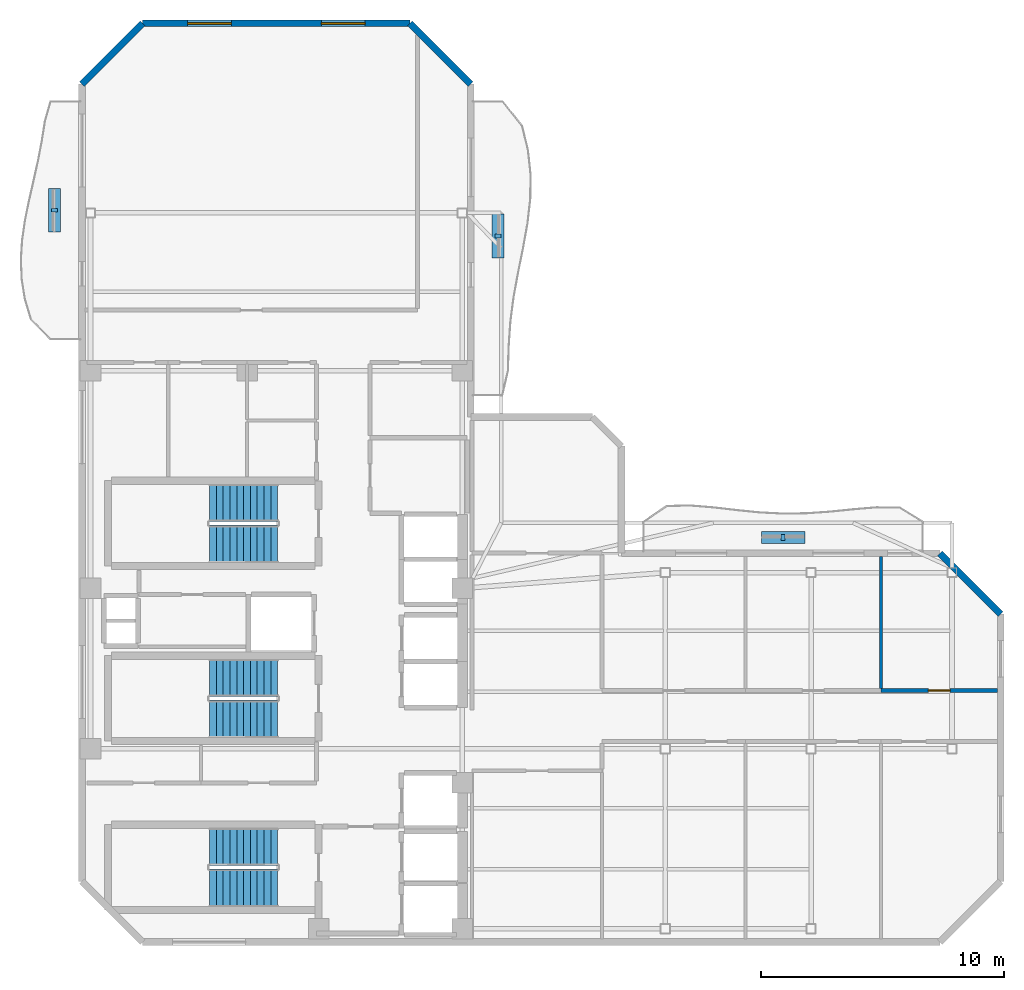
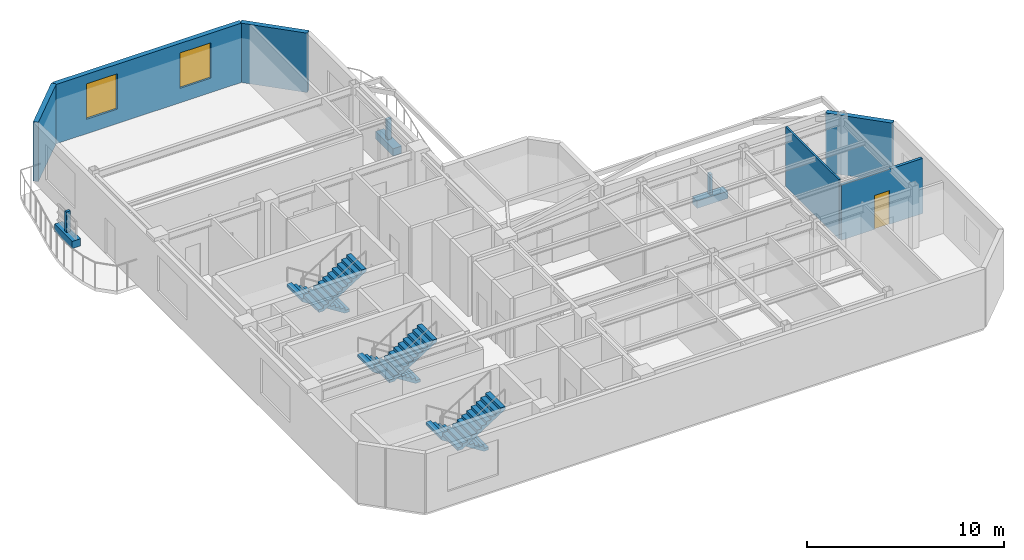
# One storey, part 5 of 7: 6 discrete accessories, 6 stair flights, 6 walls, 2 windows, 1 door, 3 openings, 3 elements without a shape of their own.
"""IFC4 building model written with IfcOpenShell, lengths in metres."""

from ifc_helpers import new_model, si_unit, direction, frame, frame_2d, origin, origin_2d, place, context, subcontext, project, spatial, polyline, rectangle, outline, extrude, material, layer, layer_set, type_object, element, fill, aggregate, save


model = new_model("IFC4")

# Units and contexts
model_context = context("Model", 3, precision=1e-05, world=origin(), true_north=direction((0.0, 1.0)))
body_context = subcontext(model_context, "Body", "Model", "MODEL_VIEW")
ifc_project = project(units=[si_unit("LENGTHUNIT", "METRE"), si_unit("AREAUNIT", "SQUARE_METRE"), si_unit("VOLUMEUNIT", "CUBIC_METRE"), si_unit("PLANEANGLEUNIT", "RADIAN"), si_unit("MASSUNIT", "GRAM", prefix="KILO")], contexts=[model_context])

# Site, building, storey
site_placement = place(None, origin())
site = spatial("IfcSite", under=ifc_project, at=site_placement, CompositionType="ELEMENT")
building_placement = place(site_placement, origin())
building = spatial("IfcBuilding", under=site, at=building_placement, Name="Mawjaban Terraces University", CompositionType="ELEMENT")
storey_placement = place(building_placement, frame((0.0, 0.0, 291.10009765625)))
storey = spatial("IfcBuildingStorey", under=building, at=storey_placement, Name="L71", CompositionType="ELEMENT", Elevation=291.10009765625)

# Wall, opening, door
ifc_material_1 = material(Name="Fire-rated gypsum board on steel stud", Category="steel")
ifc_layer_1 = layer(ifc_material_1, 0.159912109375)
ifc_layer_set_1 = layer_set([ifc_layer_1], Name="Fire-rated gypsum board on steel stud")
wall_type_1 = type_object("IfcWallType", Name="CorridorPartition_160", PredefinedType="PARTITIONING", material=ifc_layer_set_1)
wall_1_placement = place(storey_placement, frame((59.6669921875, 10.35009765625, 0.0), z_axis=(0.0, 0.0, 1.0), x_axis=(-1.0, 0.0, 0.0)))
wall_1 = element("IfcWall", 1, at=wall_1_placement, inside=storey, type_object=wall_type_1, Name="L71 Upper East Research Corridor Partition 22", PredefinedType="PARTITIONING", context=body_context, shape_type="SweptSolid", body=[
    extrude(rectangle(XDim=4.787109375, YDim=0.159912109375, at=frame_2d((2.3935546875, 0.0))), origin(), (0.0, 0.0, 1.0), 3.423828125),
])
opening_1_placement = place(wall_1_placement, frame((1.943115234375, 0.0, 0.0)))
opening_1 = element("IfcOpeningElement", 2, at=opening_1_placement, cuts=wall_1, Name="Opening ID-090", PredefinedType="OPENING", context=body_context, shape_type="SweptSolid", body=[
    extrude(rectangle(XDim=0.89990234375, YDim=2.10009765625, at=frame_2d((0.449951171875, 1.050048828125))), frame((0.0, 0.08984375, 0.0), z_axis=(0.0, -1.0, 0.0), x_axis=(1.0, 0.0, 0.0)), (0.0, 0.0, 1.0), 0.179931640625),
])
ifc_material_2 = material(Name="Powder-coated steel frame and solid acoustic timber leaf", Category="steel")
door_type = type_object("IfcDoorType", Name="OfficeDoor_900x2100", OperationType="NOTDEFINED", PredefinedType="DOOR", material=ifc_material_2)
door_placement = place(opening_1_placement, origin())
door = element("IfcDoor", 3, at=door_placement, inside=storey, type_object=door_type, Name="L71 Seminar Room 7 Door", OperationType="SINGLE_SWING_LEFT", OverallHeight=2.10009765625, OverallWidth=0.89990234375, PredefinedType="DOOR", context=body_context, shape_type="SweptSolid", body=[
    extrude(rectangle(XDim=0.89990234375, YDim=2.10009765625, at=frame_2d((0.449951171875, 1.050048828125))), frame((0.0, 0.02490234375, 0.0), z_axis=(0.0, -1.0, 0.0), x_axis=(1.0, 0.0, 0.0)), (0.0, 0.0, 1.0), 0.050048828125),
])
fill(opening_1, door)

# Walls
ifc_material_3 = material(Name="Insulated terracotta rainscreen on concrete backup C40/50", Category="masonry")
ifc_layer_2 = layer(ifc_material_3, 0.27490234375)
ifc_layer_set_2 = layer_set([ifc_layer_2], Name="Insulated terracotta rainscreen on concrete backup C40/50")
wall_type_2 = type_object("IfcWallType", Name="ExtTerracottaWall_275", PredefinedType="SOLIDWALL", material=ifc_layer_set_2)
for number, where, z_axis, x_axis, name in (
    (4, (59.800048828125, 13.5, 0.0), (0.0, 0.0, 1.0), (-0.707106781187, 0.707106781187, 0.0), "L71 Exterior Terracotta Wall 4"),
    (5, (38.0, 35.300048828125, 0.0), (0.0, 0.0, 1.0), (-0.707106781187, 0.707106781187, 0.0), "L71 Exterior Terracotta Wall 10"),
):
    element("IfcWall", number, at=place(storey_placement, frame(where, z_axis=z_axis, x_axis=x_axis)), inside=storey, type_object=wall_type_2, Name=name, PredefinedType="SOLIDWALL", context=body_context, shape_type="SweptSolid", body=[
        extrude(rectangle(XDim=3.53564453125, YDim=0.27490234375, at=frame_2d((1.767822265625, 0.0))), origin(), (0.0, 0.0, 1.0), 3.68994140625),
    ])

# Wall, openings, windows
wall_2_placement = place(storey_placement, frame((35.5, 37.800048828125, 0.0), z_axis=(0.0, 0.0, 1.0), x_axis=(-1.0, 0.0, 0.0)))
wall_2 = element("IfcWall", 6, at=wall_2_placement, inside=storey, type_object=wall_type_2, Name="L71 Exterior Terracotta Wall 11", PredefinedType="SOLIDWALL", context=body_context, shape_type="SweptSolid", body=[
    extrude(rectangle(XDim=11.0, YDim=0.27490234375, at=frame_2d((5.5, 0.0))), origin(), (0.0, 0.0, 1.0), 3.68994140625),
])
opening_2_placement = place(wall_2_placement, frame((1.85009765625, 0.0, 0.89990234375)))
opening_2 = element("IfcOpeningElement", 7, at=opening_2_placement, cuts=wall_2, Name="Opening W-10", PredefinedType="OPENING", context=body_context, shape_type="SweptSolid", body=[
    extrude(rectangle(XDim=1.800048828125, YDim=2.199951171875, at=frame_2d((0.89990234375, 1.10009765625))), frame((0.0, 0.1474609375, 0.0), z_axis=(0.0, -1.0, 0.0), x_axis=(1.0, 0.0, 0.0)), (0.0, 0.0, 1.0), 0.294921875),
])
opening_3_placement = place(wall_2_placement, frame((7.35009765625, 0.0, 0.89990234375)))
opening_3 = element("IfcOpeningElement", 8, at=opening_3_placement, cuts=wall_2, Name="Opening W-10", PredefinedType="OPENING", context=body_context, shape_type="SweptSolid", body=[
    extrude(rectangle(XDim=1.800048828125, YDim=2.199951171875, at=frame_2d((0.89990234375, 1.10009765625))), frame((0.0, 0.1474609375, 0.0), z_axis=(0.0, -1.0, 0.0), x_axis=(1.0, 0.0, 0.0)), (0.0, 0.0, 1.0), 0.294921875),
])
ifc_material_4 = material(Name="Low-E solar-control double glazing in thermally broken aluminium frame", Category="aluminium")
window_type = type_object("IfcWindowType", Name="Win_1800x2200", PartitioningType="SINGLE_PANEL", PredefinedType="WINDOW", material=ifc_material_4)
window_1_placement = place(opening_2_placement, origin())
window_1 = element("IfcWindow", 9, at=window_1_placement, inside=storey, type_object=window_type, Name="L71 Facade Window 11.1", OverallHeight=2.199951171875, OverallWidth=1.800048828125, PartitioningType="SINGLE_PANEL", PredefinedType="WINDOW", context=body_context, shape_type="SweptSolid", body=[
    extrude(rectangle(XDim=1.800048828125, YDim=2.199951171875, at=frame_2d((0.89990234375, 1.10009765625))), frame((0.0, 0.030029296875, 0.0), z_axis=(0.0, -1.0, 0.0), x_axis=(1.0, 0.0, 0.0)), (0.0, 0.0, 1.0), 0.06005859375),
])
fill(opening_2, window_1)
window_2_placement = place(opening_3_placement, origin())
window_2 = element("IfcWindow", 10, at=window_2_placement, inside=storey, type_object=window_type, Name="L71 Facade Window 11.2", OverallHeight=2.199951171875, OverallWidth=1.800048828125, PartitioningType="SINGLE_PANEL", PredefinedType="WINDOW", context=body_context, shape_type="SweptSolid", body=[
    extrude(rectangle(XDim=1.800048828125, YDim=2.199951171875, at=frame_2d((0.89990234375, 1.10009765625))), frame((0.0, 0.030029296875, 0.0), z_axis=(0.0, -1.0, 0.0), x_axis=(1.0, 0.0, 0.0)), (0.0, 0.0, 1.0), 0.06005859375),
])
fill(opening_3, window_2)

# Walls
wall_3_placement = place(storey_placement, frame((24.5, 37.800048828125, 0.0), z_axis=(0.0, 0.0, 1.0), x_axis=(-0.707106781187, -0.707106781187, 0.0)))
element("IfcWall", 11, at=wall_3_placement, inside=storey, type_object=wall_type_2, Name="L71 Exterior Terracotta Wall 12", PredefinedType="SOLIDWALL", context=body_context, shape_type="SweptSolid", body=[
    extrude(rectangle(XDim=3.53564453125, YDim=0.27490234375, at=frame_2d((1.767822265625, 0.0))), origin(), (0.0, 0.0, 1.0), 3.68994140625),
])
ifc_material_5 = material(Name="Acoustic operable panel partition", Category="masonry")
ifc_layer_3 = layer(ifc_material_5, 0.110107421875)
ifc_layer_set_3 = layer_set([ifc_layer_3], Name="Acoustic operable panel partition")
wall_type_3 = type_object("IfcWallType", Name="OperableSeminarWall_110", PredefinedType="MOVABLE", material=ifc_layer_set_3)
wall_4_placement = place(storey_placement, frame((54.8798828125, 10.425048828125, 0.0), z_axis=(0.0, 0.0, 1.0), x_axis=(0.0, 1.0, 0.0)))
element("IfcWall", 12, at=wall_4_placement, inside=storey, type_object=wall_type_3, Name="L71 Collaborative Study Room 5 Partition 44", PredefinedType="MOVABLE", context=body_context, shape_type="SweptSolid", body=[
    extrude(rectangle(XDim=5.44189453125, YDim=0.110107421875, at=frame_2d((2.720947265625, 0.0))), origin(), (0.0, 0.0, 1.0), 3.68994140625),
])

# Stair, stair flights
ifc_material_6 = material(Name="Concrete C40/50", Category="concrete")
stair_type = type_object("IfcStairType", Name="Stair_Core1550_H39", PredefinedType="HALF_TURN_STAIR", material=ifc_material_6)
stair_1_placement = place(storey_placement, origin())
stair_1 = element("IfcStair", 13, at=stair_1_placement, inside=storey, type_object=stair_type, Name="L71 Core Exit Stair 1", PredefinedType="HALF_TURN_STAIR")
stair_flight_type = type_object("IfcStairFlightType", Name="Flight_Core1550_H39", PredefinedType="STRAIGHT", material=ifc_material_6)
stair_flight_1_placement = place(storey_placement, frame((30.050048828125, 3.925048828125, 0.0), z_axis=(0.0, 0.0, 1.0), x_axis=(-1.0, 0.0, 0.0)))
stair_flight_1 = element("IfcStairFlight", 14, at=stair_flight_1_placement, type_object=stair_flight_type, Name="ST-1 flight 1", NumberOfRisers=11, NumberOfTreads=10, PredefinedType="STRAIGHT", RiserHeight=0.177272727, TreadLength=0.28, context=body_context, shape_type="SweptSolid", body=[
    extrude(outline(polyline([(0.0, 0.0), (0.0, 0.17724609375), (0.280029296875, 0.17724609375), (0.280029296875, 0.3544921875), (0.56005859375, 0.3544921875), (0.56005859375, 0.53173828125), (0.840087890625, 0.53173828125), (0.840087890625, 0.708984375), (1.1201171875, 0.708984375), (1.1201171875, 0.886474609375), (1.39990234375, 0.886474609375), (1.39990234375, 1.063720703125), (1.679931640625, 1.063720703125), (1.679931640625, 1.240966796875), (1.9599609375, 1.240966796875), (1.9599609375, 1.418212890625), (2.239990234375, 1.418212890625), (2.239990234375, 1.595458984375), (2.52001953125, 1.595458984375), (2.52001953125, 1.772705078125), (2.800048828125, 1.772705078125), (2.800048828125, 1.949951171875), (2.800048828125, 1.59521484375), (0.2802734375, 0.0), (0.0, 0.0)])), frame((0.0, 0.77490234375, 0.0), z_axis=(0.0, -1.0, 0.0), x_axis=(1.0, 0.0, 0.0)), (0.0, 0.0, 1.0), 1.550048828125),
])
stair_flight_2_placement = place(storey_placement, frame((27.25, 2.22509765625, 1.949951171875), z_axis=(0.0, 0.0, 1.0), x_axis=(1.0, 0.0, 0.0)))
stair_flight_2 = element("IfcStairFlight", 15, at=stair_flight_2_placement, type_object=stair_flight_type, Name="ST-1 flight 2", NumberOfRisers=11, NumberOfTreads=10, PredefinedType="STRAIGHT", RiserHeight=0.177272727, TreadLength=0.28, context=body_context, shape_type="SweptSolid", body=[
    extrude(outline(polyline([(0.0, 0.0), (0.0, 0.17724609375), (0.280029296875, 0.17724609375), (0.280029296875, 0.3544921875), (0.56005859375, 0.3544921875), (0.56005859375, 0.53173828125), (0.840087890625, 0.53173828125), (0.840087890625, 0.708984375), (1.1201171875, 0.708984375), (1.1201171875, 0.886474609375), (1.39990234375, 0.886474609375), (1.39990234375, 1.063720703125), (1.679931640625, 1.063720703125), (1.679931640625, 1.240966796875), (1.9599609375, 1.240966796875), (1.9599609375, 1.418212890625), (2.239990234375, 1.418212890625), (2.239990234375, 1.595458984375), (2.52001953125, 1.595458984375), (2.52001953125, 1.772705078125), (2.800048828125, 1.772705078125), (2.800048828125, 1.949951171875), (2.800048828125, 1.59521484375), (0.2802734375, 0.0), (0.0, 0.0)])), frame((0.0, 0.77490234375, 0.0), z_axis=(0.0, -1.0, 0.0), x_axis=(1.0, 0.0, 0.0)), (0.0, 0.0, 1.0), 1.550048828125),
])
aggregate(stair_1, [stair_flight_1, stair_flight_2])

stair_2_placement = place(storey_placement, origin())
stair_2 = element("IfcStair", 16, at=stair_2_placement, inside=storey, type_object=stair_type, Name="L71 Core Exit Stair 2", PredefinedType="HALF_TURN_STAIR")
stair_flight_3_placement = place(storey_placement, frame((30.050048828125, 18.074951171875, 0.0), z_axis=(0.0, 0.0, 1.0), x_axis=(-1.0, 0.0, 0.0)))
stair_flight_3 = element("IfcStairFlight", 17, at=stair_flight_3_placement, type_object=stair_flight_type, Name="ST-2 flight 1", NumberOfRisers=11, NumberOfTreads=10, PredefinedType="STRAIGHT", RiserHeight=0.177272727, TreadLength=0.28, context=body_context, shape_type="SweptSolid", body=[
    extrude(outline(polyline([(0.0, 0.0), (0.0, 0.17724609375), (0.280029296875, 0.17724609375), (0.280029296875, 0.3544921875), (0.56005859375, 0.3544921875), (0.56005859375, 0.53173828125), (0.840087890625, 0.53173828125), (0.840087890625, 0.708984375), (1.1201171875, 0.708984375), (1.1201171875, 0.886474609375), (1.39990234375, 0.886474609375), (1.39990234375, 1.063720703125), (1.679931640625, 1.063720703125), (1.679931640625, 1.240966796875), (1.9599609375, 1.240966796875), (1.9599609375, 1.418212890625), (2.239990234375, 1.418212890625), (2.239990234375, 1.595458984375), (2.52001953125, 1.595458984375), (2.52001953125, 1.772705078125), (2.800048828125, 1.772705078125), (2.800048828125, 1.949951171875), (2.800048828125, 1.59521484375), (0.2802734375, 0.0), (0.0, 0.0)])), frame((0.0, 0.77490234375, 0.0), z_axis=(0.0, -1.0, 0.0), x_axis=(1.0, 0.0, 0.0)), (0.0, 0.0, 1.0), 1.550048828125),
])
stair_flight_4_placement = place(storey_placement, frame((27.25, 16.375, 1.949951171875), z_axis=(0.0, 0.0, 1.0), x_axis=(1.0, 0.0, 0.0)))
stair_flight_4 = element("IfcStairFlight", 18, at=stair_flight_4_placement, type_object=stair_flight_type, Name="ST-2 flight 2", NumberOfRisers=11, NumberOfTreads=10, PredefinedType="STRAIGHT", RiserHeight=0.177272727, TreadLength=0.28, context=body_context, shape_type="SweptSolid", body=[
    extrude(outline(polyline([(0.0, 0.0), (0.0, 0.17724609375), (0.280029296875, 0.17724609375), (0.280029296875, 0.3544921875), (0.56005859375, 0.3544921875), (0.56005859375, 0.53173828125), (0.840087890625, 0.53173828125), (0.840087890625, 0.708984375), (1.1201171875, 0.708984375), (1.1201171875, 0.886474609375), (1.39990234375, 0.886474609375), (1.39990234375, 1.063720703125), (1.679931640625, 1.063720703125), (1.679931640625, 1.240966796875), (1.9599609375, 1.240966796875), (1.9599609375, 1.418212890625), (2.239990234375, 1.418212890625), (2.239990234375, 1.595458984375), (2.52001953125, 1.595458984375), (2.52001953125, 1.772705078125), (2.800048828125, 1.772705078125), (2.800048828125, 1.949951171875), (2.800048828125, 1.59521484375), (0.2802734375, 0.0), (0.0, 0.0)])), frame((0.0, 0.77490234375, 0.0), z_axis=(0.0, -1.0, 0.0), x_axis=(1.0, 0.0, 0.0)), (0.0, 0.0, 1.0), 1.550048828125),
])
aggregate(stair_2, [stair_flight_3, stair_flight_4])

stair_3_placement = place(storey_placement, origin())
stair_3 = element("IfcStair", 19, at=stair_3_placement, inside=storey, type_object=stair_type, Name="L71 Core Exit Stair 3", PredefinedType="HALF_TURN_STAIR")
stair_flight_5_placement = place(storey_placement, frame((30.050048828125, 10.875, 0.0), z_axis=(0.0, 0.0, 1.0), x_axis=(-1.0, 0.0, 0.0)))
stair_flight_5 = element("IfcStairFlight", 20, at=stair_flight_5_placement, type_object=stair_flight_type, Name="ST-3 flight 1", NumberOfRisers=11, NumberOfTreads=10, PredefinedType="STRAIGHT", RiserHeight=0.177272727, TreadLength=0.28, context=body_context, shape_type="SweptSolid", body=[
    extrude(outline(polyline([(0.0, 0.0), (0.0, 0.17724609375), (0.280029296875, 0.17724609375), (0.280029296875, 0.3544921875), (0.56005859375, 0.3544921875), (0.56005859375, 0.53173828125), (0.840087890625, 0.53173828125), (0.840087890625, 0.708984375), (1.1201171875, 0.708984375), (1.1201171875, 0.886474609375), (1.39990234375, 0.886474609375), (1.39990234375, 1.063720703125), (1.679931640625, 1.063720703125), (1.679931640625, 1.240966796875), (1.9599609375, 1.240966796875), (1.9599609375, 1.418212890625), (2.239990234375, 1.418212890625), (2.239990234375, 1.595458984375), (2.52001953125, 1.595458984375), (2.52001953125, 1.772705078125), (2.800048828125, 1.772705078125), (2.800048828125, 1.949951171875), (2.800048828125, 1.59521484375), (0.2802734375, 0.0), (0.0, 0.0)])), frame((0.0, 0.77490234375, 0.0), z_axis=(0.0, -1.0, 0.0), x_axis=(1.0, 0.0, 0.0)), (0.0, 0.0, 1.0), 1.550048828125),
])
stair_flight_6_placement = place(storey_placement, frame((27.25, 9.175048828125, 1.949951171875), z_axis=(0.0, 0.0, 1.0), x_axis=(1.0, 0.0, 0.0)))
stair_flight_6 = element("IfcStairFlight", 21, at=stair_flight_6_placement, type_object=stair_flight_type, Name="ST-3 flight 2", NumberOfRisers=11, NumberOfTreads=10, PredefinedType="STRAIGHT", RiserHeight=0.177272727, TreadLength=0.28, context=body_context, shape_type="SweptSolid", body=[
    extrude(outline(polyline([(0.0, 0.0), (0.0, 0.17724609375), (0.280029296875, 0.17724609375), (0.280029296875, 0.3544921875), (0.56005859375, 0.3544921875), (0.56005859375, 0.53173828125), (0.840087890625, 0.53173828125), (0.840087890625, 0.708984375), (1.1201171875, 0.708984375), (1.1201171875, 0.886474609375), (1.39990234375, 0.886474609375), (1.39990234375, 1.063720703125), (1.679931640625, 1.063720703125), (1.679931640625, 1.240966796875), (1.9599609375, 1.240966796875), (1.9599609375, 1.418212890625), (2.239990234375, 1.418212890625), (2.239990234375, 1.595458984375), (2.52001953125, 1.595458984375), (2.52001953125, 1.772705078125), (2.800048828125, 1.772705078125), (2.800048828125, 1.949951171875), (2.800048828125, 1.59521484375), (0.2802734375, 0.0), (0.0, 0.0)])), frame((0.0, 0.77490234375, 0.0), z_axis=(0.0, -1.0, 0.0), x_axis=(1.0, 0.0, 0.0)), (0.0, 0.0, 1.0), 1.550048828125),
])
aggregate(stair_3, [stair_flight_5, stair_flight_6])

# Discrete accessories
ifc_material_7 = material(Name="Stainless steel 316L", Category="steel")
discrete_accessory_type_1 = type_object("IfcDiscreteAccessoryType", Name="FacadeScreenBracket_Steel", PredefinedType="BRACKET", material=ifc_material_7)
for number, where, z_axis, x_axis, name in (
    (22, (20.868896484375, 30.10791015625, 0.419921875), (0.0, 0.0, 1.0), (0.0, 1.0, 0.0), "L71 Balcony Screen Support Bracket west"),
    (23, (50.85009765625, 16.64501953125, 0.419921875), (0.0, 0.0, 1.0), (1.0, 0.0, 0.0), "L71 Balcony Screen Support Bracket inner_north"),
    (24, (39.117919921875, 29.053955078125, 0.419921875), (0.0, 0.0, 1.0), (0.0, 1.0, 0.0), "L71 Balcony Screen Support Bracket inner_east"),
):
    element("IfcDiscreteAccessory", number, at=place(storey_placement, frame(where, z_axis=z_axis, x_axis=x_axis)), inside=storey, type_object=discrete_accessory_type_1, Name=name, PredefinedType="BRACKET", context=body_context, shape_type="SweptSolid", body=[
        extrude(rectangle(XDim=0.159912109375, YDim=0.239990234375, at=origin_2d()), origin(), (0.0, 0.0, 1.0), 1.300048828125),
    ])
ifc_material_8 = material(Name="Precast architectural terracotta planter with engineered planting soil", Category="masonry")
discrete_accessory_type_2 = type_object("IfcDiscreteAccessoryType", Name="IrrigatedPlanterTrough_450", PredefinedType="USERDEFINED", material=ifc_material_8)
for number, where, z_axis, x_axis, name in (
    (25, (20.868896484375, 30.10791015625, -0.0048828125), (0.0, 0.0, 1.0), (0.0, 1.0, 0.0), "L71 Balcony Irrigated Planter west"),
    (26, (50.85009765625, 16.64501953125, -0.0048828125), (0.0, 0.0, 1.0), (1.0, 0.0, 0.0), "L71 Balcony Irrigated Planter inner_north"),
    (27, (39.117919921875, 29.053955078125, -0.0048828125), (0.0, 0.0, 1.0), (0.0, 1.0, 0.0), "L71 Balcony Irrigated Planter inner_east"),
):
    element("IfcDiscreteAccessory", number, at=place(storey_placement, frame(where, z_axis=z_axis, x_axis=x_axis)), inside=storey, type_object=discrete_accessory_type_2, Name=name, ObjectType="PLANTER", PredefinedType="USERDEFINED", context=body_context, shape_type="SweptSolid", body=[
        extrude(rectangle(XDim=1.800048828125, YDim=0.5, at=origin_2d()), origin(), (0.0, 0.0, 1.0), 0.449951171875),
    ])

save(model, "model.ifc")
